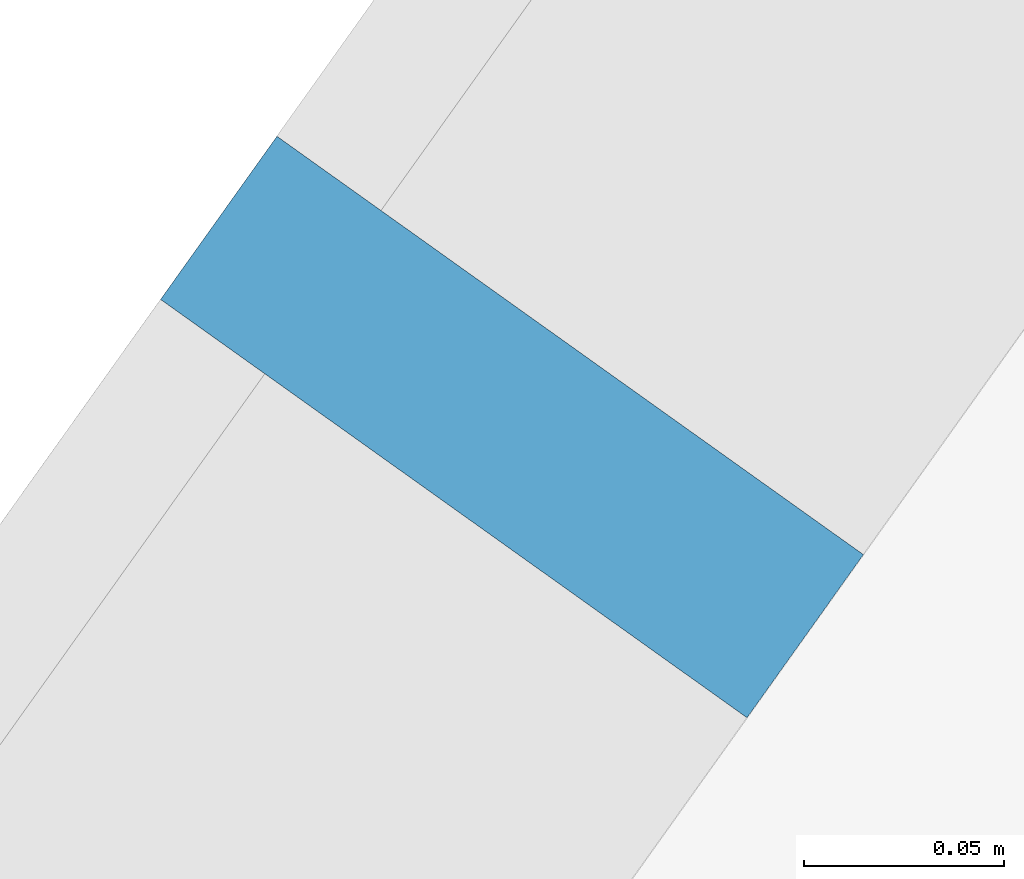
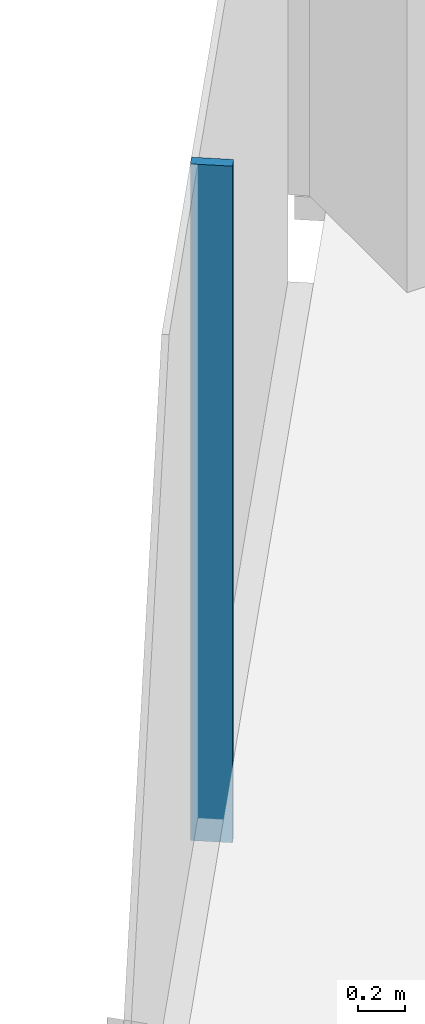
# One storey, part 4 of 31: 1 member, 1 element without a shape of its own.
"""IFC4 building model written with IfcOpenShell, lengths in metres."""

from ifc_helpers import new_model, si_unit, direction, frame, origin, origin_2d, place, context, subcontext, project, spatial, rectangle, extrude, material, material_profile, profile_set, type_object, element, aggregate, save


model = new_model("IFC4")

# Units and contexts
model_context = context("Model", 3, precision=1e-05, world=origin(), true_north=direction((0.0, 1.0)))
body_context = subcontext(model_context, "Body", "Model", "MODEL_VIEW")
ifc_project = project(units=[si_unit("LENGTHUNIT", "METRE"), si_unit("AREAUNIT", "SQUARE_METRE"), si_unit("VOLUMEUNIT", "CUBIC_METRE"), si_unit("PLANEANGLEUNIT", "RADIAN"), si_unit("MASSUNIT", "GRAM", prefix="KILO")], contexts=[model_context])

# Site, building, storey
site_placement = place(None, origin())
site = spatial("IfcSite", under=ifc_project, at=site_placement, CompositionType="ELEMENT")
building_placement = place(site_placement, origin())
building = spatial("IfcBuilding", under=site, at=building_placement, Name="Orlundy Tower", CompositionType="ELEMENT")
storey_placement = place(building_placement, frame((0.0, 0.0, 84.199951171875)))
storey = spatial("IfcBuildingStorey", under=building, at=storey_placement, Name="L20", CompositionType="ELEMENT", Elevation=84.199951171875)

# Curtain wall, member
ifc_material_1 = material(Name="Aluminium bronze anodised", Category="aluminium")
curtain_wall_type = type_object("IfcCurtainWallType", Name="CW1 wall", PredefinedType="NOTDEFINED", material=ifc_material_1)
curtain_wall_placement = place(storey_placement, origin())
curtain_wall = element("IfcCurtainWall", 1, at=curtain_wall_placement, inside=storey, type_object=curtain_wall_type, Name="CW1 run 00", PredefinedType="NOTDEFINED")
ifc_material_2 = material(Name="Aluminium bronze anodised", Category="aluminium")
ifc_material_profile = material_profile(ifc_material_2, rectangle(XDim=0.179931640625, YDim=0.050048828125, at=origin_2d()), Name="CW1 mullion 50x180")
ifc_profile_set = profile_set([ifc_material_profile], Name="Aluminium bronze anodised")
member_type = type_object("IfcMemberType", Name="CW1 mullion 50x180", PredefinedType="MULLION", material=ifc_profile_set)
member_placement = place(storey_placement, frame((-43.209716796875, -25.982177734375, -0.39990234375), z_axis=(0.0, 0.0, 1.0), x_axis=(-0.814116921316, 0.580700988829, 0.0)))
member = element("IfcMember", 2, at=member_placement, type_object=member_type, Name="CW1 mullion 2", PredefinedType="MULLION", context=body_context, shape_type="SweptSolid", body=[
    extrude(rectangle(XDim=0.179931640625, YDim=0.050048828125, at=origin_2d()), origin(), (0.0, 0.0, 1.0), 3.5),
])
aggregate(curtain_wall, [member])

save(model, "model.ifc")
